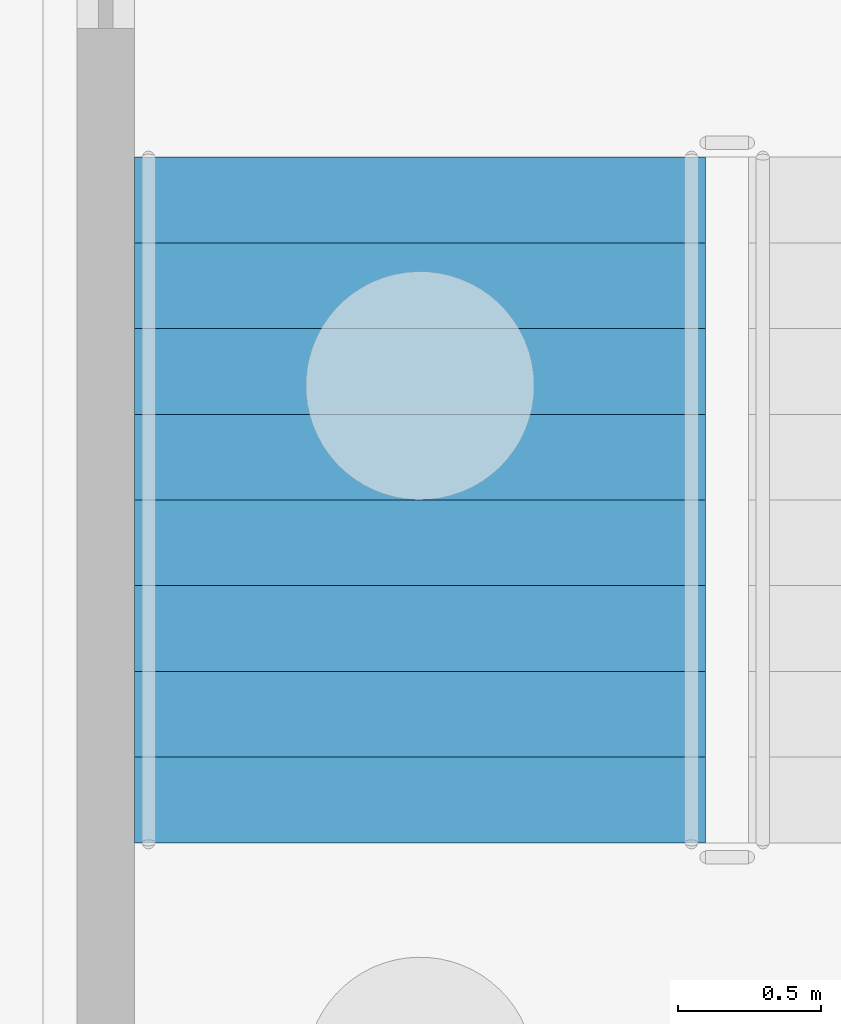
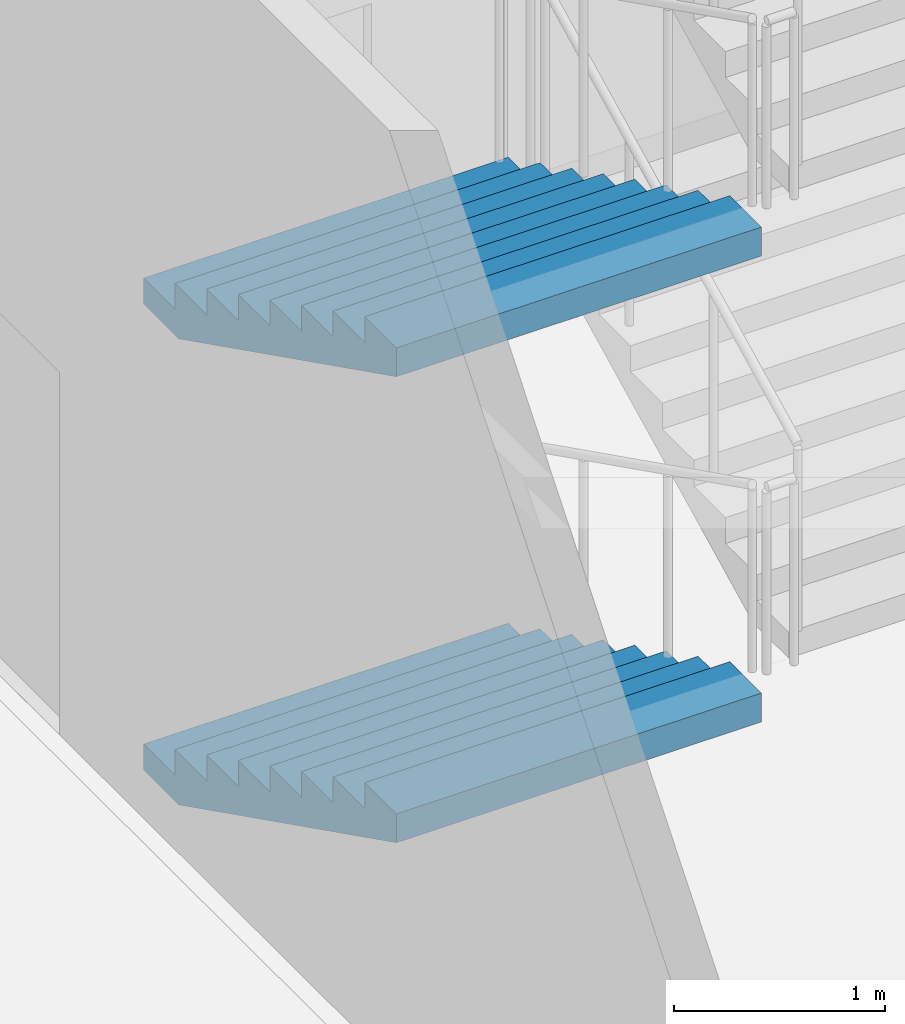
# One storey, part 90 of 129: 2 stair flights, 1 element without a shape of its own.
"""IFC4 building model written with IfcOpenShell, lengths in metres."""

import ifcopenshell
import ifcopenshell.guid

model = None  # the IFC model being written
_history = None  # IfcOwnerHistory: only IFC2X3 demands one
_inside = {}  # id of a spatial element -> (the spatial element, [elements in it])
_under = {}  # id of a project, library or spatial element -> (it, [spatial elements below it])
_declared = {}  # id of a project -> (the project, [libraries it declares])
_typed = {}  # id of a type object -> (the type object, [elements of that type])
_made_of = {}  # id of a material, layer set ... -> (it, [elements and type objects made of it])


def new_model(schema):
    """Start an empty IFC model of exactly this schema.

    Asked for "IFC4X3", IfcOpenShell would pick the latest addendum, in which some entities
    have other attributes; the version numbers below select the first issue.
    IFC2X3 requires an IfcOwnerHistory on every rooted entity: one is made here for all.
    """
    global model, _history
    if schema == "IFC4X3":
        model = ifcopenshell.file(schema_version=(4, 3, 0, 0))
    else:
        model = ifcopenshell.file(schema=schema)
    _inside.clear()
    _under.clear()
    _declared.clear()
    _typed.clear()
    _made_of.clear()
    _history = None
    if model.schema == "IFC2X3":
        org = make("IfcOrganization", Name="unknown")
        user = make(
            "IfcPersonAndOrganization",
            ThePerson=make("IfcPerson", FamilyName="unknown"),
            TheOrganization=org,
        )
        app = make(
            "IfcApplication",
            ApplicationDeveloper=org,
            Version="unknown",
            ApplicationFullName="unknown",
            ApplicationIdentifier="unknown",
        )
        _history = make(
            "IfcOwnerHistory",
            OwningUser=user,
            OwningApplication=app,
            ChangeAction="ADDED",
            CreationDate=0,
        )
    return model


def make(cls, **values):
    """One entity of the class cls with the attributes given. An attribute that is None is left unset."""
    return model.create_entity(
        cls, **{name: value for name, value in values.items() if value is not None}
    )


def rooted(cls, **values):
    """An entity with a GlobalId (a new one), such as an element, a storey or a relation."""
    return make(cls, GlobalId=ifcopenshell.guid.new(), OwnerHistory=_history, **values)


def si_unit(unit_type, name, prefix=None):
    """IfcSIUnit, for example si_unit("LENGTHUNIT", "METRE", prefix="MILLI")."""
    return make("IfcSIUnit", UnitType=unit_type, Prefix=prefix, Name=name)


def assignment(units):
    """IfcUnitAssignment: the units of a project."""
    return None if units is None else make("IfcUnitAssignment", Units=units)


def point(xyz):
    """IfcCartesianPoint."""
    return None if xyz is None else make("IfcCartesianPoint", Coordinates=xyz)


def direction(xyz):
    """IfcDirection."""
    return None if xyz is None else make("IfcDirection", DirectionRatios=xyz)


def frame(location, z_axis=None, x_axis=None):
    """IfcAxis2Placement3D, a coordinate frame: its origin and axes. An axis left out is left unset."""
    return make(
        "IfcAxis2Placement3D",
        Location=point(location),
        Axis=direction(z_axis),
        RefDirection=direction(x_axis),
    )


def origin():
    """The frame at (0, 0, 0) with its axes left unset."""
    return frame((0.0, 0.0, 0.0))


def place(relative_to, where):
    """IfcLocalPlacement: puts the frame where relative to a parent placement (None: the world)."""
    return make(
        "IfcLocalPlacement", PlacementRelTo=relative_to, RelativePlacement=where
    )


def context(
    kind, dimensions, precision=None, world=None, true_north=None, identifier=None
):
    """IfcGeometricRepresentationContext, for example the 3D "Model" context."""
    return make(
        "IfcGeometricRepresentationContext",
        ContextIdentifier=identifier,
        ContextType=kind,
        CoordinateSpaceDimension=dimensions,
        Precision=precision,
        WorldCoordinateSystem=world,
        TrueNorth=true_north,
    )


def subcontext(parent, identifier, kind, view, scale=None):
    """IfcGeometricRepresentationSubContext, for example "Body" below "Model"."""
    return make(
        "IfcGeometricRepresentationSubContext",
        ContextIdentifier=identifier,
        ContextType=kind,
        ParentContext=parent,
        TargetScale=scale,
        TargetView=view,
    )


def project(units=None, contexts=None):
    """IfcProject with its units and contexts."""
    return rooted(
        "IfcProject",
        Name="project",
        RepresentationContexts=contexts,
        UnitsInContext=assignment(units),
    )


def spatial(cls, under=None, at=None, **own):
    """A site, building, storey or space (cls), placed at a placement, below another one or the project."""
    s = rooted(cls, ObjectPlacement=at, **own)
    if under is not None:
        _under.setdefault(under.id(), (under, []))[1].append(s)
    return s


def faces_of(points, faces, orient=None, outer=None):
    """IfcFace entities. A face is a list of loops; a loop is a list of indices into points, from 0.

    orient and outer hold one flag for each loop. By default every Orientation is true, the
    first loop of a face is its IfcFaceOuterBound and the others are IfcFaceBound.
    """
    made = []
    for i, loops in enumerate(faces):
        bounds = []
        for j, loop in enumerate(loops):
            is_outer = j == 0 if outer is None else outer[i][j]
            bounds.append(
                make(
                    "IfcFaceOuterBound" if is_outer else "IfcFaceBound",
                    Bound=make("IfcPolyLoop", Polygon=[points[k] for k in loop]),
                    Orientation=True if orient is None else orient[i][j],
                )
            )
        made.append(make("IfcFace", Bounds=bounds))
    return made


def faceted_brep(points, faces, orient=None, outer=None, voids=None):
    """IfcFacetedBrep: a solid bounded by flat faces; with voids (closed shells), ...WithVoids."""
    shared = [point(p) for p in points]
    hull = make("IfcClosedShell", CfsFaces=faces_of(shared, faces, orient, outer))
    if voids is None:
        return make("IfcFacetedBrep", Outer=hull)
    return make(
        "IfcFacetedBrepWithVoids",
        Outer=hull,
        Voids=[
            make(cls, CfsFaces=faces_of(shared, fs, o, b)) for cls, fs, o, b in voids
        ],
    )


def shape(context_of_items, identifier, shape_type, items):
    """IfcShapeRepresentation: the items that make up one representation, for example the "Body"."""
    return make(
        "IfcShapeRepresentation",
        ContextOfItems=context_of_items,
        RepresentationIdentifier=identifier,
        RepresentationType=shape_type,
        Items=items,
    )


def material(Name=None, Category=None):
    """IfcMaterial."""
    return make("IfcMaterial", Name=Name, Category=Category)


def made_of(thing, what):
    """Note that an element or type object is made of a material, layer set ...; save() writes the relation."""
    if what is not None:
        _made_of.setdefault(what.id(), (what, []))[1].append(thing)
    return thing


def type_object(cls, material=None, **own):
    """A type object (cls), such as IfcWallType, which elements share."""
    return made_of(rooted(cls, **own), material)


def element(
    cls,
    number,
    at=None,
    inside=None,
    cuts=None,
    type_object=None,
    material=None,
    context=None,
    identifier="Body",
    shape_type=None,
    held_by="IfcProductDefinitionShape",
    body=None,
    shapes=None,
    **own,
):
    """One element of the class cls, such as IfcWall. Its Tag is "e" and its number.

    at: its placement. inside: the storey or other place that contains it. cuts: it is an
    opening in that element (IfcRelVoidsElement). A single representation is given by context,
    identifier, shape_type and body (its items); several are given by shapes. held_by: the class
    of the entity that holds the representations. save() writes the other relations.
    """
    e = rooted(cls, Tag="e%d" % number, ObjectPlacement=at, **own)
    if body is not None:
        shapes = [shape(context, identifier, shape_type, body)]
    if shapes is not None:
        e.Representation = make(held_by, Representations=shapes)
    if inside is not None:
        _inside.setdefault(inside.id(), (inside, []))[1].append(e)
    if cuts is not None:
        rooted(
            "IfcRelVoidsElement", RelatingBuildingElement=cuts, RelatedOpeningElement=e
        )
    if type_object is not None:
        _typed.setdefault(type_object.id(), (type_object, []))[1].append(e)
    return made_of(e, material)


def aggregate(whole, parts):
    """IfcRelAggregates: a whole, such as a stair, and the parts it consists of."""
    return rooted("IfcRelAggregates", RelatingObject=whole, RelatedObjects=parts)


def save(model, path):
    """Write the relations noted so far, then the file.

    IfcRelAggregates (storeys below a building ...), IfcRelContainedInSpatialStructure (elements
    in a storey), IfcRelDefinesByType, IfcRelAssociatesMaterial and IfcRelDeclares: one each for
    every whole, place, type object, material and project.
    """
    for whole, parts in _under.values():
        aggregate(whole, parts)
    for where, things in _inside.values():
        rooted(
            "IfcRelContainedInSpatialStructure",
            RelatedElements=things,
            RelatingStructure=where,
        )
    for kind, things in _typed.values():
        rooted("IfcRelDefinesByType", RelatedObjects=things, RelatingType=kind)
    for what, things in _made_of.values():
        rooted("IfcRelAssociatesMaterial", RelatedObjects=things, RelatingMaterial=what)
    for by, libraries in _declared.values():
        rooted("IfcRelDeclares", RelatingContext=by, RelatedDefinitions=libraries)
    model.write(path)


model = new_model("IFC4")

# Units and contexts
model_context = context("Model", 3, precision=1e-05, world=origin(), true_north=direction((0.0, 1.0)))
body_context = subcontext(model_context, "Body", "Model", "MODEL_VIEW")
ifc_project = project(units=[si_unit("LENGTHUNIT", "METRE"), si_unit("AREAUNIT", "SQUARE_METRE"), si_unit("VOLUMEUNIT", "CUBIC_METRE"), si_unit("PLANEANGLEUNIT", "RADIAN"), si_unit("MASSUNIT", "GRAM", prefix="KILO")], contexts=[model_context])

# Site, building, storey
site_placement = place(None, origin())
site = spatial("IfcSite", under=ifc_project, at=site_placement, CompositionType="ELEMENT")
building_placement = place(site_placement, origin())
building = spatial("IfcBuilding", under=site, at=building_placement, Name="Kiln Court Media Centre", CompositionType="ELEMENT")
storey_placement = place(building_placement, origin())
storey = spatial("IfcBuildingStorey", under=building, at=storey_placement, Name="L00", CompositionType="ELEMENT", Elevation=0.0)

# Stair, stair flights
ifc_material_1 = material(Name="Concrete C40/50", Category="concrete")
stair_type = type_object("IfcStairType", Name="Concrete C40/50 dog-leg stair 2000 wide, 150 riser", PredefinedType="HALF_TURN_STAIR", material=ifc_material_1)
stair_placement = place(storey_placement, origin())
stair = element("IfcStair", 1, at=stair_placement, inside=storey, type_object=stair_type, Name="ST-11 L00", PredefinedType="HALF_TURN_STAIR")
ifc_material_2 = material(Name="Concrete C40/50", Category="concrete")
stair_flight_type = type_object("IfcStairFlightType", Name="Concrete C40/50 stair flight 2000 wide, 150 riser, 300 going", PredefinedType="STRAIGHT", material=ifc_material_2)
stair_flight_1_placement = place(storey_placement, frame((60.0, 64.39990234375, 0.0), z_axis=(0.0, 0.0, 1.0), x_axis=(0.0, -1.0, 0.0)))
stair_flight_1 = element("IfcStairFlight", 2, at=stair_flight_1_placement, type_object=stair_flight_type, Name="L00-ST-5010 flight 5040", NumberOfRisers=9, NumberOfTreads=8, PredefinedType="STRAIGHT", RiserHeight=0.15, TreadLength=0.3, context=body_context, shape_type="Brep", body=[
    faceted_brep([(0.335205078125, -1.0, 0.0), (2.39990234375, -1.0, 1.032470703125), (2.39990234375, -1.0, 1.199951171875), (2.10009765625, -1.0, 1.199951171875), (2.10009765625, -1.0, 1.050048828125), (1.800048828125, -1.0, 1.050048828125), (1.800048828125, -1.0, 0.89990234375), (1.5, -1.0, 0.89990234375), (1.5, -1.0, 0.75), (1.199951171875, -1.0, 0.75), (1.199951171875, -1.0, 0.60009765625), (0.89990234375, -1.0, 0.60009765625), (0.89990234375, -1.0, 0.449951171875), (0.60009765625, -1.0, 0.449951171875), (0.60009765625, -1.0, 0.300048828125), (0.300048828125, -1.0, 0.300048828125), (0.300048828125, -1.0, 0.14990234375), (0.0, -1.0, 0.14990234375), (0.0, -1.0, 0.0), (0.0, 1.0, 0.0), (0.0, 1.0, 0.14990234375), (0.300048828125, 1.0, 0.14990234375), (0.300048828125, 1.0, 0.300048828125), (0.60009765625, 1.0, 0.300048828125), (0.60009765625, 1.0, 0.449951171875), (0.89990234375, 1.0, 0.449951171875), (0.89990234375, 1.0, 0.60009765625), (1.199951171875, 1.0, 0.60009765625), (1.199951171875, 1.0, 0.75), (1.5, 1.0, 0.75), (1.5, 1.0, 0.89990234375), (1.800048828125, 1.0, 0.89990234375), (1.800048828125, 1.0, 1.050048828125), (2.10009765625, 1.0, 1.050048828125), (2.10009765625, 1.0, 1.199951171875), (2.39990234375, 1.0, 1.199951171875), (2.39990234375, 1.0, 1.032470703125), (0.335205078125, 1.0, 0.0), (2.39990234375, 0.10009765625, 1.032470703125), (0.335205078125, 0.10009765625, 0.0), (2.39990234375, 0.080078125, 1.032470703125), (0.335205078125, 0.080078125, 0.0), (2.39990234375, 0.06005859375, 1.032470703125), (0.335205078125, 0.06005859375, 0.0), (2.39990234375, 0.0400390625, 1.032470703125), (0.335205078125, 0.0400390625, 0.0), (2.39990234375, 0.02001953125, 1.032470703125), (0.335205078125, 0.02001953125, 0.0), (2.39990234375, 0.0, 1.032470703125), (0.335205078125, 0.0, 0.0), (2.39990234375, -0.02001953125, 1.032470703125), (0.335205078125, -0.02001953125, 0.0), (2.39990234375, -0.0400390625, 1.032470703125), (0.335205078125, -0.0400390625, 0.0), (2.39990234375, -0.06005859375, 1.032470703125), (0.335205078125, -0.06005859375, 0.0), (2.39990234375, -0.080078125, 1.032470703125), (0.335205078125, -0.080078125, 0.0), (2.39990234375, -0.10009765625, 1.032470703125), (0.335205078125, -0.10009765625, 0.0), (2.39990234375, 0.10009765625, 1.199951171875), (2.39990234375, 0.080078125, 1.199951171875), (2.39990234375, 0.06005859375, 1.199951171875), (2.39990234375, 0.0400390625, 1.199951171875), (2.39990234375, 0.02001953125, 1.199951171875), (2.39990234375, 0.0, 1.199951171875), (2.39990234375, -0.02001953125, 1.199951171875), (2.39990234375, -0.0400390625, 1.199951171875), (2.39990234375, -0.06005859375, 1.199951171875), (2.39990234375, -0.080078125, 1.199951171875), (2.39990234375, -0.10009765625, 1.199951171875), (2.10009765625, 0.10009765625, 1.199951171875), (2.10009765625, 0.080078125, 1.199951171875), (2.10009765625, 0.06005859375, 1.199951171875), (2.10009765625, 0.0400390625, 1.199951171875), (2.10009765625, 0.02001953125, 1.199951171875), (2.10009765625, 0.0, 1.199951171875), (2.10009765625, -0.02001953125, 1.199951171875), (2.10009765625, -0.0400390625, 1.199951171875), (2.10009765625, -0.06005859375, 1.199951171875), (2.10009765625, -0.080078125, 1.199951171875), (2.10009765625, -0.10009765625, 1.199951171875), (2.10009765625, 0.10009765625, 1.050048828125), (2.10009765625, 0.080078125, 1.050048828125), (2.10009765625, 0.06005859375, 1.050048828125), (2.10009765625, 0.0400390625, 1.050048828125), (2.10009765625, 0.02001953125, 1.050048828125), (2.10009765625, 0.0, 1.050048828125), (2.10009765625, -0.02001953125, 1.050048828125), (2.10009765625, -0.0400390625, 1.050048828125), (2.10009765625, -0.06005859375, 1.050048828125), (2.10009765625, -0.080078125, 1.050048828125), (2.10009765625, -0.10009765625, 1.050048828125), (1.800048828125, 0.10009765625, 1.050048828125), (1.800048828125, 0.080078125, 1.050048828125), (1.800048828125, 0.06005859375, 1.050048828125), (1.800048828125, 0.0400390625, 1.050048828125), (1.800048828125, 0.02001953125, 1.050048828125), (1.800048828125, 0.0, 1.050048828125), (1.800048828125, -0.02001953125, 1.050048828125), (1.800048828125, -0.0400390625, 1.050048828125), (1.800048828125, -0.06005859375, 1.050048828125), (1.800048828125, -0.080078125, 1.050048828125), (1.800048828125, -0.10009765625, 1.050048828125), (1.800048828125, 0.10009765625, 0.89990234375), (1.800048828125, 0.080078125, 0.89990234375), (1.800048828125, 0.06005859375, 0.89990234375), (1.800048828125, 0.0400390625, 0.89990234375), (1.800048828125, 0.02001953125, 0.89990234375), (1.800048828125, 0.0, 0.89990234375), (1.800048828125, -0.02001953125, 0.89990234375), (1.800048828125, -0.0400390625, 0.89990234375), (1.800048828125, -0.06005859375, 0.89990234375), (1.800048828125, -0.080078125, 0.89990234375), (1.800048828125, -0.10009765625, 0.89990234375), (1.5, 0.10009765625, 0.89990234375), (1.5, 0.080078125, 0.89990234375), (1.5, 0.06005859375, 0.89990234375), (1.5, 0.0400390625, 0.89990234375), (1.5, 0.02001953125, 0.89990234375), (1.5, 0.0, 0.89990234375), (1.5, -0.02001953125, 0.89990234375), (1.5, -0.0400390625, 0.89990234375), (1.5, -0.06005859375, 0.89990234375), (1.5, -0.080078125, 0.89990234375), (1.5, -0.10009765625, 0.89990234375), (1.5, 0.10009765625, 0.75), (1.5, 0.080078125, 0.75), (1.5, 0.06005859375, 0.75), (1.5, 0.0400390625, 0.75), (1.5, 0.02001953125, 0.75), (1.5, 0.0, 0.75), (1.5, -0.02001953125, 0.75), (1.5, -0.0400390625, 0.75), (1.5, -0.06005859375, 0.75), (1.5, -0.080078125, 0.75), (1.5, -0.10009765625, 0.75), (1.199951171875, 0.10009765625, 0.75), (1.199951171875, 0.080078125, 0.75), (1.199951171875, 0.06005859375, 0.75), (1.199951171875, 0.0400390625, 0.75), (1.199951171875, 0.02001953125, 0.75), (1.199951171875, 0.0, 0.75), (1.199951171875, -0.02001953125, 0.75), (1.199951171875, -0.0400390625, 0.75), (1.199951171875, -0.06005859375, 0.75), (1.199951171875, -0.080078125, 0.75), (1.199951171875, -0.10009765625, 0.75), (1.199951171875, 0.10009765625, 0.60009765625), (1.199951171875, 0.080078125, 0.60009765625), (1.199951171875, 0.06005859375, 0.60009765625), (1.199951171875, 0.0400390625, 0.60009765625), (1.199951171875, 0.02001953125, 0.60009765625), (1.199951171875, 0.0, 0.60009765625), (1.199951171875, -0.02001953125, 0.60009765625), (1.199951171875, -0.0400390625, 0.60009765625), (1.199951171875, -0.06005859375, 0.60009765625), (1.199951171875, -0.080078125, 0.60009765625), (1.199951171875, -0.10009765625, 0.60009765625), (0.89990234375, 0.10009765625, 0.60009765625), (0.89990234375, 0.080078125, 0.60009765625), (0.89990234375, 0.06005859375, 0.60009765625), (0.89990234375, 0.0400390625, 0.60009765625), (0.89990234375, 0.02001953125, 0.60009765625), (0.89990234375, 0.0, 0.60009765625), (0.89990234375, -0.02001953125, 0.60009765625), (0.89990234375, -0.0400390625, 0.60009765625), (0.89990234375, -0.06005859375, 0.60009765625), (0.89990234375, -0.080078125, 0.60009765625), (0.89990234375, -0.10009765625, 0.60009765625), (0.89990234375, 0.10009765625, 0.449951171875), (0.89990234375, 0.080078125, 0.449951171875), (0.89990234375, 0.06005859375, 0.449951171875), (0.89990234375, 0.0400390625, 0.449951171875), (0.89990234375, 0.02001953125, 0.449951171875), (0.89990234375, 0.0, 0.449951171875), (0.89990234375, -0.02001953125, 0.449951171875), (0.89990234375, -0.0400390625, 0.449951171875), (0.89990234375, -0.06005859375, 0.449951171875), (0.89990234375, -0.080078125, 0.449951171875), (0.89990234375, -0.10009765625, 0.449951171875), (0.60009765625, 0.10009765625, 0.449951171875), (0.60009765625, 0.080078125, 0.449951171875), (0.60009765625, 0.06005859375, 0.449951171875), (0.60009765625, 0.0400390625, 0.449951171875), (0.60009765625, 0.02001953125, 0.449951171875), (0.60009765625, 0.0, 0.449951171875), (0.60009765625, -0.02001953125, 0.449951171875), (0.60009765625, -0.0400390625, 0.449951171875), (0.60009765625, -0.06005859375, 0.449951171875), (0.60009765625, -0.080078125, 0.449951171875), (0.60009765625, -0.10009765625, 0.449951171875), (0.60009765625, 0.10009765625, 0.300048828125), (0.60009765625, 0.080078125, 0.300048828125), (0.60009765625, 0.06005859375, 0.300048828125), (0.60009765625, 0.0400390625, 0.300048828125), (0.60009765625, 0.02001953125, 0.300048828125), (0.60009765625, 0.0, 0.300048828125), (0.60009765625, -0.02001953125, 0.300048828125), (0.60009765625, -0.0400390625, 0.300048828125), (0.60009765625, -0.06005859375, 0.300048828125), (0.60009765625, -0.080078125, 0.300048828125), (0.60009765625, -0.10009765625, 0.300048828125), (0.300048828125, 0.10009765625, 0.300048828125), (0.300048828125, 0.080078125, 0.300048828125), (0.300048828125, 0.06005859375, 0.300048828125), (0.300048828125, 0.0400390625, 0.300048828125), (0.300048828125, 0.02001953125, 0.300048828125), (0.300048828125, 0.0, 0.300048828125), (0.300048828125, -0.02001953125, 0.300048828125), (0.300048828125, -0.0400390625, 0.300048828125), (0.300048828125, -0.06005859375, 0.300048828125), (0.300048828125, -0.080078125, 0.300048828125), (0.300048828125, -0.10009765625, 0.300048828125), (0.300048828125, 0.10009765625, 0.14990234375), (0.300048828125, 0.080078125, 0.14990234375), (0.300048828125, 0.06005859375, 0.14990234375), (0.300048828125, 0.0400390625, 0.14990234375), (0.300048828125, 0.02001953125, 0.14990234375), (0.300048828125, 0.0, 0.14990234375), (0.300048828125, -0.02001953125, 0.14990234375), (0.300048828125, -0.0400390625, 0.14990234375), (0.300048828125, -0.06005859375, 0.14990234375), (0.300048828125, -0.080078125, 0.14990234375), (0.300048828125, -0.10009765625, 0.14990234375), (0.0, 0.10009765625, 0.14990234375), (0.0, 0.080078125, 0.14990234375), (0.0, 0.06005859375, 0.14990234375), (0.0, 0.0400390625, 0.14990234375), (0.0, 0.02001953125, 0.14990234375), (0.0, 0.0, 0.14990234375), (0.0, -0.02001953125, 0.14990234375), (0.0, -0.0400390625, 0.14990234375), (0.0, -0.06005859375, 0.14990234375), (0.0, -0.080078125, 0.14990234375), (0.0, -0.10009765625, 0.14990234375), (0.0, 0.10009765625, 0.0), (0.0, 0.080078125, 0.0), (0.0, 0.06005859375, 0.0), (0.0, 0.0400390625, 0.0), (0.0, 0.02001953125, 0.0), (0.0, 0.0, 0.0), (0.0, -0.02001953125, 0.0), (0.0, -0.0400390625, 0.0), (0.0, -0.06005859375, 0.0), (0.0, -0.080078125, 0.0), (0.0, -0.10009765625, 0.0)], [[[0, 1, 2, 3, 4, 5, 6, 7, 8, 9, 10, 11, 12, 13, 14, 15, 16, 17, 18]], [[19, 20, 21, 22, 23, 24, 25, 26, 27, 28, 29, 30, 31, 32, 33, 34, 35, 36, 37]], [[37, 36, 38, 39]], [[39, 38, 40, 41]], [[41, 40, 42, 43]], [[43, 42, 44, 45]], [[45, 44, 46, 47]], [[47, 46, 48, 49]], [[49, 48, 50, 51]], [[51, 50, 52, 53]], [[53, 52, 54, 55]], [[55, 54, 56, 57]], [[57, 56, 58, 59]], [[59, 58, 1, 0]], [[36, 35, 60, 38]], [[38, 60, 61, 40]], [[40, 61, 62, 42]], [[42, 62, 63, 44]], [[44, 63, 64, 46]], [[46, 64, 65, 48]], [[48, 65, 66, 50]], [[50, 66, 67, 52]], [[52, 67, 68, 54]], [[54, 68, 69, 56]], [[56, 69, 70, 58]], [[58, 70, 2, 1]], [[35, 34, 71, 60]], [[60, 71, 72, 61]], [[61, 72, 73, 62]], [[62, 73, 74, 63]], [[63, 74, 75, 64]], [[64, 75, 76, 65]], [[65, 76, 77, 66]], [[66, 77, 78, 67]], [[67, 78, 79, 68]], [[68, 79, 80, 69]], [[69, 80, 81, 70]], [[70, 81, 3, 2]], [[34, 33, 82, 71]], [[71, 82, 83, 72]], [[72, 83, 84, 73]], [[73, 84, 85, 74]], [[74, 85, 86, 75]], [[75, 86, 87, 76]], [[76, 87, 88, 77]], [[77, 88, 89, 78]], [[78, 89, 90, 79]], [[79, 90, 91, 80]], [[80, 91, 92, 81]], [[81, 92, 4, 3]], [[33, 32, 93, 82]], [[82, 93, 94, 83]], [[83, 94, 95, 84]], [[84, 95, 96, 85]], [[85, 96, 97, 86]], [[86, 97, 98, 87]], [[87, 98, 99, 88]], [[88, 99, 100, 89]], [[89, 100, 101, 90]], [[90, 101, 102, 91]], [[91, 102, 103, 92]], [[92, 103, 5, 4]], [[32, 31, 104, 93]], [[93, 104, 105, 94]], [[94, 105, 106, 95]], [[95, 106, 107, 96]], [[96, 107, 108, 97]], [[97, 108, 109, 98]], [[98, 109, 110, 99]], [[99, 110, 111, 100]], [[100, 111, 112, 101]], [[101, 112, 113, 102]], [[102, 113, 114, 103]], [[103, 114, 6, 5]], [[31, 30, 115, 104]], [[104, 115, 116, 105]], [[105, 116, 117, 106]], [[106, 117, 118, 107]], [[107, 118, 119, 108]], [[108, 119, 120, 109]], [[109, 120, 121, 110]], [[110, 121, 122, 111]], [[111, 122, 123, 112]], [[112, 123, 124, 113]], [[113, 124, 125, 114]], [[114, 125, 7, 6]], [[30, 29, 126, 115]], [[115, 126, 127, 116]], [[116, 127, 128, 117]], [[117, 128, 129, 118]], [[118, 129, 130, 119]], [[119, 130, 131, 120]], [[120, 131, 132, 121]], [[121, 132, 133, 122]], [[122, 133, 134, 123]], [[123, 134, 135, 124]], [[124, 135, 136, 125]], [[125, 136, 8, 7]], [[29, 28, 137, 126]], [[126, 137, 138, 127]], [[127, 138, 139, 128]], [[128, 139, 140, 129]], [[129, 140, 141, 130]], [[130, 141, 142, 131]], [[131, 142, 143, 132]], [[132, 143, 144, 133]], [[133, 144, 145, 134]], [[134, 145, 146, 135]], [[135, 146, 147, 136]], [[136, 147, 9, 8]], [[28, 27, 148, 137]], [[137, 148, 149, 138]], [[138, 149, 150, 139]], [[139, 150, 151, 140]], [[140, 151, 152, 141]], [[141, 152, 153, 142]], [[142, 153, 154, 143]], [[143, 154, 155, 144]], [[144, 155, 156, 145]], [[145, 156, 157, 146]], [[146, 157, 158, 147]], [[147, 158, 10, 9]], [[27, 26, 159, 148]], [[148, 159, 160, 149]], [[149, 160, 161, 150]], [[150, 161, 162, 151]], [[151, 162, 163, 152]], [[152, 163, 164, 153]], [[153, 164, 165, 154]], [[154, 165, 166, 155]], [[155, 166, 167, 156]], [[156, 167, 168, 157]], [[157, 168, 169, 158]], [[158, 169, 11, 10]], [[26, 25, 170, 159]], [[159, 170, 171, 160]], [[160, 171, 172, 161]], [[161, 172, 173, 162]], [[162, 173, 174, 163]], [[163, 174, 175, 164]], [[164, 175, 176, 165]], [[165, 176, 177, 166]], [[166, 177, 178, 167]], [[167, 178, 179, 168]], [[168, 179, 180, 169]], [[169, 180, 12, 11]], [[25, 24, 181, 170]], [[170, 181, 182, 171]], [[171, 182, 183, 172]], [[172, 183, 184, 173]], [[173, 184, 185, 174]], [[174, 185, 186, 175]], [[175, 186, 187, 176]], [[176, 187, 188, 177]], [[177, 188, 189, 178]], [[178, 189, 190, 179]], [[179, 190, 191, 180]], [[180, 191, 13, 12]], [[24, 23, 192, 181]], [[181, 192, 193, 182]], [[182, 193, 194, 183]], [[183, 194, 195, 184]], [[184, 195, 196, 185]], [[185, 196, 197, 186]], [[186, 197, 198, 187]], [[187, 198, 199, 188]], [[188, 199, 200, 189]], [[189, 200, 201, 190]], [[190, 201, 202, 191]], [[191, 202, 14, 13]], [[23, 22, 203, 192]], [[192, 203, 204, 193]], [[193, 204, 205, 194]], [[194, 205, 206, 195]], [[195, 206, 207, 196]], [[196, 207, 208, 197]], [[197, 208, 209, 198]], [[198, 209, 210, 199]], [[199, 210, 211, 200]], [[200, 211, 212, 201]], [[201, 212, 213, 202]], [[202, 213, 15, 14]], [[22, 21, 214, 203]], [[203, 214, 215, 204]], [[204, 215, 216, 205]], [[205, 216, 217, 206]], [[206, 217, 218, 207]], [[207, 218, 219, 208]], [[208, 219, 220, 209]], [[209, 220, 221, 210]], [[210, 221, 222, 211]], [[211, 222, 223, 212]], [[212, 223, 224, 213]], [[213, 224, 16, 15]], [[21, 20, 225, 214]], [[214, 225, 226, 215]], [[215, 226, 227, 216]], [[216, 227, 228, 217]], [[217, 228, 229, 218]], [[218, 229, 230, 219]], [[219, 230, 231, 220]], [[220, 231, 232, 221]], [[221, 232, 233, 222]], [[222, 233, 234, 223]], [[223, 234, 235, 224]], [[224, 235, 17, 16]], [[20, 19, 236, 225]], [[225, 236, 237, 226]], [[226, 237, 238, 227]], [[227, 238, 239, 228]], [[228, 239, 240, 229]], [[229, 240, 241, 230]], [[230, 241, 242, 231]], [[231, 242, 243, 232]], [[232, 243, 244, 233]], [[233, 244, 245, 234]], [[234, 245, 246, 235]], [[235, 246, 18, 17]], [[19, 37, 39, 236]], [[236, 39, 41, 237]], [[237, 41, 43, 238]], [[238, 43, 45, 239]], [[239, 45, 47, 240]], [[240, 47, 49, 241]], [[241, 49, 51, 242]], [[242, 51, 53, 243]], [[243, 53, 55, 244]], [[244, 55, 57, 245]], [[245, 57, 59, 246]], [[246, 59, 0, 18]]]),
])
stair_flight_2_placement = place(storey_placement, frame((60.0, 64.39990234375, 2.699951171875), z_axis=(0.0, 0.0, 1.0), x_axis=(0.0, -1.0, 0.0)))
stair_flight_2 = element("IfcStairFlight", 3, at=stair_flight_2_placement, type_object=stair_flight_type, Name="L00-ST-5010 flight 5042", NumberOfRisers=9, NumberOfTreads=8, PredefinedType="STRAIGHT", RiserHeight=0.15, TreadLength=0.3, context=body_context, shape_type="Brep", body=[
    faceted_brep([(0.335205078125, -1.0, 0.0), (2.39990234375, -1.0, 1.032470703125), (2.39990234375, -1.0, 1.199951171875), (2.10009765625, -1.0, 1.199951171875), (2.10009765625, -1.0, 1.050048828125), (1.800048828125, -1.0, 1.050048828125), (1.800048828125, -1.0, 0.89990234375), (1.5, -1.0, 0.89990234375), (1.5, -1.0, 0.75), (1.199951171875, -1.0, 0.75), (1.199951171875, -1.0, 0.60009765625), (0.89990234375, -1.0, 0.60009765625), (0.89990234375, -1.0, 0.449951171875), (0.60009765625, -1.0, 0.449951171875), (0.60009765625, -1.0, 0.300048828125), (0.300048828125, -1.0, 0.300048828125), (0.300048828125, -1.0, 0.14990234375), (0.0, -1.0, 0.14990234375), (0.0, -1.0, 0.0), (0.0, 1.0, 0.0), (0.0, 1.0, 0.14990234375), (0.300048828125, 1.0, 0.14990234375), (0.300048828125, 1.0, 0.300048828125), (0.60009765625, 1.0, 0.300048828125), (0.60009765625, 1.0, 0.449951171875), (0.89990234375, 1.0, 0.449951171875), (0.89990234375, 1.0, 0.60009765625), (1.199951171875, 1.0, 0.60009765625), (1.199951171875, 1.0, 0.75), (1.5, 1.0, 0.75), (1.5, 1.0, 0.89990234375), (1.800048828125, 1.0, 0.89990234375), (1.800048828125, 1.0, 1.050048828125), (2.10009765625, 1.0, 1.050048828125), (2.10009765625, 1.0, 1.199951171875), (2.39990234375, 1.0, 1.199951171875), (2.39990234375, 1.0, 1.032470703125), (0.335205078125, 1.0, 0.0), (2.39990234375, 0.10009765625, 1.032470703125), (0.335205078125, 0.10009765625, 0.0), (2.39990234375, 0.080078125, 1.032470703125), (0.335205078125, 0.080078125, 0.0), (2.39990234375, 0.06005859375, 1.032470703125), (0.335205078125, 0.06005859375, 0.0), (2.39990234375, 0.0400390625, 1.032470703125), (0.335205078125, 0.0400390625, 0.0), (2.39990234375, 0.02001953125, 1.032470703125), (0.335205078125, 0.02001953125, 0.0), (2.39990234375, 0.0, 1.032470703125), (0.335205078125, 0.0, 0.0), (2.39990234375, -0.02001953125, 1.032470703125), (0.335205078125, -0.02001953125, 0.0), (2.39990234375, -0.0400390625, 1.032470703125), (0.335205078125, -0.0400390625, 0.0), (2.39990234375, -0.06005859375, 1.032470703125), (0.335205078125, -0.06005859375, 0.0), (2.39990234375, -0.080078125, 1.032470703125), (0.335205078125, -0.080078125, 0.0), (2.39990234375, -0.10009765625, 1.032470703125), (0.335205078125, -0.10009765625, 0.0), (2.39990234375, 0.10009765625, 1.199951171875), (2.39990234375, 0.080078125, 1.199951171875), (2.39990234375, 0.06005859375, 1.199951171875), (2.39990234375, 0.0400390625, 1.199951171875), (2.39990234375, 0.02001953125, 1.199951171875), (2.39990234375, 0.0, 1.199951171875), (2.39990234375, -0.02001953125, 1.199951171875), (2.39990234375, -0.0400390625, 1.199951171875), (2.39990234375, -0.06005859375, 1.199951171875), (2.39990234375, -0.080078125, 1.199951171875), (2.39990234375, -0.10009765625, 1.199951171875), (2.10009765625, 0.10009765625, 1.199951171875), (2.10009765625, 0.080078125, 1.199951171875), (2.10009765625, 0.06005859375, 1.199951171875), (2.10009765625, 0.0400390625, 1.199951171875), (2.10009765625, 0.02001953125, 1.199951171875), (2.10009765625, 0.0, 1.199951171875), (2.10009765625, -0.02001953125, 1.199951171875), (2.10009765625, -0.0400390625, 1.199951171875), (2.10009765625, -0.06005859375, 1.199951171875), (2.10009765625, -0.080078125, 1.199951171875), (2.10009765625, -0.10009765625, 1.199951171875), (2.10009765625, 0.10009765625, 1.050048828125), (2.10009765625, 0.080078125, 1.050048828125), (2.10009765625, 0.06005859375, 1.050048828125), (2.10009765625, 0.0400390625, 1.050048828125), (2.10009765625, 0.02001953125, 1.050048828125), (2.10009765625, 0.0, 1.050048828125), (2.10009765625, -0.02001953125, 1.050048828125), (2.10009765625, -0.0400390625, 1.050048828125), (2.10009765625, -0.06005859375, 1.050048828125), (2.10009765625, -0.080078125, 1.050048828125), (2.10009765625, -0.10009765625, 1.050048828125), (1.800048828125, 0.10009765625, 1.050048828125), (1.800048828125, 0.080078125, 1.050048828125), (1.800048828125, 0.06005859375, 1.050048828125), (1.800048828125, 0.0400390625, 1.050048828125), (1.800048828125, 0.02001953125, 1.050048828125), (1.800048828125, 0.0, 1.050048828125), (1.800048828125, -0.02001953125, 1.050048828125), (1.800048828125, -0.0400390625, 1.050048828125), (1.800048828125, -0.06005859375, 1.050048828125), (1.800048828125, -0.080078125, 1.050048828125), (1.800048828125, -0.10009765625, 1.050048828125), (1.800048828125, 0.10009765625, 0.89990234375), (1.800048828125, 0.080078125, 0.89990234375), (1.800048828125, 0.06005859375, 0.89990234375), (1.800048828125, 0.0400390625, 0.89990234375), (1.800048828125, 0.02001953125, 0.89990234375), (1.800048828125, 0.0, 0.89990234375), (1.800048828125, -0.02001953125, 0.89990234375), (1.800048828125, -0.0400390625, 0.89990234375), (1.800048828125, -0.06005859375, 0.89990234375), (1.800048828125, -0.080078125, 0.89990234375), (1.800048828125, -0.10009765625, 0.89990234375), (1.5, 0.10009765625, 0.89990234375), (1.5, 0.080078125, 0.89990234375), (1.5, 0.06005859375, 0.89990234375), (1.5, 0.0400390625, 0.89990234375), (1.5, 0.02001953125, 0.89990234375), (1.5, 0.0, 0.89990234375), (1.5, -0.02001953125, 0.89990234375), (1.5, -0.0400390625, 0.89990234375), (1.5, -0.06005859375, 0.89990234375), (1.5, -0.080078125, 0.89990234375), (1.5, -0.10009765625, 0.89990234375), (1.5, 0.10009765625, 0.75), (1.5, 0.080078125, 0.75), (1.5, 0.06005859375, 0.75), (1.5, 0.0400390625, 0.75), (1.5, 0.02001953125, 0.75), (1.5, 0.0, 0.75), (1.5, -0.02001953125, 0.75), (1.5, -0.0400390625, 0.75), (1.5, -0.06005859375, 0.75), (1.5, -0.080078125, 0.75), (1.5, -0.10009765625, 0.75), (1.199951171875, 0.10009765625, 0.75), (1.199951171875, 0.080078125, 0.75), (1.199951171875, 0.06005859375, 0.75), (1.199951171875, 0.0400390625, 0.75), (1.199951171875, 0.02001953125, 0.75), (1.199951171875, 0.0, 0.75), (1.199951171875, -0.02001953125, 0.75), (1.199951171875, -0.0400390625, 0.75), (1.199951171875, -0.06005859375, 0.75), (1.199951171875, -0.080078125, 0.75), (1.199951171875, -0.10009765625, 0.75), (1.199951171875, 0.10009765625, 0.60009765625), (1.199951171875, 0.080078125, 0.60009765625), (1.199951171875, 0.06005859375, 0.60009765625), (1.199951171875, 0.0400390625, 0.60009765625), (1.199951171875, 0.02001953125, 0.60009765625), (1.199951171875, 0.0, 0.60009765625), (1.199951171875, -0.02001953125, 0.60009765625), (1.199951171875, -0.0400390625, 0.60009765625), (1.199951171875, -0.06005859375, 0.60009765625), (1.199951171875, -0.080078125, 0.60009765625), (1.199951171875, -0.10009765625, 0.60009765625), (0.89990234375, 0.10009765625, 0.60009765625), (0.89990234375, 0.080078125, 0.60009765625), (0.89990234375, 0.06005859375, 0.60009765625), (0.89990234375, 0.0400390625, 0.60009765625), (0.89990234375, 0.02001953125, 0.60009765625), (0.89990234375, 0.0, 0.60009765625), (0.89990234375, -0.02001953125, 0.60009765625), (0.89990234375, -0.0400390625, 0.60009765625), (0.89990234375, -0.06005859375, 0.60009765625), (0.89990234375, -0.080078125, 0.60009765625), (0.89990234375, -0.10009765625, 0.60009765625), (0.89990234375, 0.10009765625, 0.449951171875), (0.89990234375, 0.080078125, 0.449951171875), (0.89990234375, 0.06005859375, 0.449951171875), (0.89990234375, 0.0400390625, 0.449951171875), (0.89990234375, 0.02001953125, 0.449951171875), (0.89990234375, 0.0, 0.449951171875), (0.89990234375, -0.02001953125, 0.449951171875), (0.89990234375, -0.0400390625, 0.449951171875), (0.89990234375, -0.06005859375, 0.449951171875), (0.89990234375, -0.080078125, 0.449951171875), (0.89990234375, -0.10009765625, 0.449951171875), (0.60009765625, 0.10009765625, 0.449951171875), (0.60009765625, 0.080078125, 0.449951171875), (0.60009765625, 0.06005859375, 0.449951171875), (0.60009765625, 0.0400390625, 0.449951171875), (0.60009765625, 0.02001953125, 0.449951171875), (0.60009765625, 0.0, 0.449951171875), (0.60009765625, -0.02001953125, 0.449951171875), (0.60009765625, -0.0400390625, 0.449951171875), (0.60009765625, -0.06005859375, 0.449951171875), (0.60009765625, -0.080078125, 0.449951171875), (0.60009765625, -0.10009765625, 0.449951171875), (0.60009765625, 0.10009765625, 0.300048828125), (0.60009765625, 0.080078125, 0.300048828125), (0.60009765625, 0.06005859375, 0.300048828125), (0.60009765625, 0.0400390625, 0.300048828125), (0.60009765625, 0.02001953125, 0.300048828125), (0.60009765625, 0.0, 0.300048828125), (0.60009765625, -0.02001953125, 0.300048828125), (0.60009765625, -0.0400390625, 0.300048828125), (0.60009765625, -0.06005859375, 0.300048828125), (0.60009765625, -0.080078125, 0.300048828125), (0.60009765625, -0.10009765625, 0.300048828125), (0.300048828125, 0.10009765625, 0.300048828125), (0.300048828125, 0.080078125, 0.300048828125), (0.300048828125, 0.06005859375, 0.300048828125), (0.300048828125, 0.0400390625, 0.300048828125), (0.300048828125, 0.02001953125, 0.300048828125), (0.300048828125, 0.0, 0.300048828125), (0.300048828125, -0.02001953125, 0.300048828125), (0.300048828125, -0.0400390625, 0.300048828125), (0.300048828125, -0.06005859375, 0.300048828125), (0.300048828125, -0.080078125, 0.300048828125), (0.300048828125, -0.10009765625, 0.300048828125), (0.300048828125, 0.10009765625, 0.14990234375), (0.300048828125, 0.080078125, 0.14990234375), (0.300048828125, 0.06005859375, 0.14990234375), (0.300048828125, 0.0400390625, 0.14990234375), (0.300048828125, 0.02001953125, 0.14990234375), (0.300048828125, 0.0, 0.14990234375), (0.300048828125, -0.02001953125, 0.14990234375), (0.300048828125, -0.0400390625, 0.14990234375), (0.300048828125, -0.06005859375, 0.14990234375), (0.300048828125, -0.080078125, 0.14990234375), (0.300048828125, -0.10009765625, 0.14990234375), (0.0, 0.10009765625, 0.14990234375), (0.0, 0.080078125, 0.14990234375), (0.0, 0.06005859375, 0.14990234375), (0.0, 0.0400390625, 0.14990234375), (0.0, 0.02001953125, 0.14990234375), (0.0, 0.0, 0.14990234375), (0.0, -0.02001953125, 0.14990234375), (0.0, -0.0400390625, 0.14990234375), (0.0, -0.06005859375, 0.14990234375), (0.0, -0.080078125, 0.14990234375), (0.0, -0.10009765625, 0.14990234375), (0.0, 0.10009765625, 0.0), (0.0, 0.080078125, 0.0), (0.0, 0.06005859375, 0.0), (0.0, 0.0400390625, 0.0), (0.0, 0.02001953125, 0.0), (0.0, 0.0, 0.0), (0.0, -0.02001953125, 0.0), (0.0, -0.0400390625, 0.0), (0.0, -0.06005859375, 0.0), (0.0, -0.080078125, 0.0), (0.0, -0.10009765625, 0.0)], [[[0, 1, 2, 3, 4, 5, 6, 7, 8, 9, 10, 11, 12, 13, 14, 15, 16, 17, 18]], [[19, 20, 21, 22, 23, 24, 25, 26, 27, 28, 29, 30, 31, 32, 33, 34, 35, 36, 37]], [[37, 36, 38, 39]], [[39, 38, 40, 41]], [[41, 40, 42, 43]], [[43, 42, 44, 45]], [[45, 44, 46, 47]], [[47, 46, 48, 49]], [[49, 48, 50, 51]], [[51, 50, 52, 53]], [[53, 52, 54, 55]], [[55, 54, 56, 57]], [[57, 56, 58, 59]], [[59, 58, 1, 0]], [[36, 35, 60, 38]], [[38, 60, 61, 40]], [[40, 61, 62, 42]], [[42, 62, 63, 44]], [[44, 63, 64, 46]], [[46, 64, 65, 48]], [[48, 65, 66, 50]], [[50, 66, 67, 52]], [[52, 67, 68, 54]], [[54, 68, 69, 56]], [[56, 69, 70, 58]], [[58, 70, 2, 1]], [[35, 34, 71, 60]], [[60, 71, 72, 61]], [[61, 72, 73, 62]], [[62, 73, 74, 63]], [[63, 74, 75, 64]], [[64, 75, 76, 65]], [[65, 76, 77, 66]], [[66, 77, 78, 67]], [[67, 78, 79, 68]], [[68, 79, 80, 69]], [[69, 80, 81, 70]], [[70, 81, 3, 2]], [[34, 33, 82, 71]], [[71, 82, 83, 72]], [[72, 83, 84, 73]], [[73, 84, 85, 74]], [[74, 85, 86, 75]], [[75, 86, 87, 76]], [[76, 87, 88, 77]], [[77, 88, 89, 78]], [[78, 89, 90, 79]], [[79, 90, 91, 80]], [[80, 91, 92, 81]], [[81, 92, 4, 3]], [[33, 32, 93, 82]], [[82, 93, 94, 83]], [[83, 94, 95, 84]], [[84, 95, 96, 85]], [[85, 96, 97, 86]], [[86, 97, 98, 87]], [[87, 98, 99, 88]], [[88, 99, 100, 89]], [[89, 100, 101, 90]], [[90, 101, 102, 91]], [[91, 102, 103, 92]], [[92, 103, 5, 4]], [[32, 31, 104, 93]], [[93, 104, 105, 94]], [[94, 105, 106, 95]], [[95, 106, 107, 96]], [[96, 107, 108, 97]], [[97, 108, 109, 98]], [[98, 109, 110, 99]], [[99, 110, 111, 100]], [[100, 111, 112, 101]], [[101, 112, 113, 102]], [[102, 113, 114, 103]], [[103, 114, 6, 5]], [[31, 30, 115, 104]], [[104, 115, 116, 105]], [[105, 116, 117, 106]], [[106, 117, 118, 107]], [[107, 118, 119, 108]], [[108, 119, 120, 109]], [[109, 120, 121, 110]], [[110, 121, 122, 111]], [[111, 122, 123, 112]], [[112, 123, 124, 113]], [[113, 124, 125, 114]], [[114, 125, 7, 6]], [[30, 29, 126, 115]], [[115, 126, 127, 116]], [[116, 127, 128, 117]], [[117, 128, 129, 118]], [[118, 129, 130, 119]], [[119, 130, 131, 120]], [[120, 131, 132, 121]], [[121, 132, 133, 122]], [[122, 133, 134, 123]], [[123, 134, 135, 124]], [[124, 135, 136, 125]], [[125, 136, 8, 7]], [[29, 28, 137, 126]], [[126, 137, 138, 127]], [[127, 138, 139, 128]], [[128, 139, 140, 129]], [[129, 140, 141, 130]], [[130, 141, 142, 131]], [[131, 142, 143, 132]], [[132, 143, 144, 133]], [[133, 144, 145, 134]], [[134, 145, 146, 135]], [[135, 146, 147, 136]], [[136, 147, 9, 8]], [[28, 27, 148, 137]], [[137, 148, 149, 138]], [[138, 149, 150, 139]], [[139, 150, 151, 140]], [[140, 151, 152, 141]], [[141, 152, 153, 142]], [[142, 153, 154, 143]], [[143, 154, 155, 144]], [[144, 155, 156, 145]], [[145, 156, 157, 146]], [[146, 157, 158, 147]], [[147, 158, 10, 9]], [[27, 26, 159, 148]], [[148, 159, 160, 149]], [[149, 160, 161, 150]], [[150, 161, 162, 151]], [[151, 162, 163, 152]], [[152, 163, 164, 153]], [[153, 164, 165, 154]], [[154, 165, 166, 155]], [[155, 166, 167, 156]], [[156, 167, 168, 157]], [[157, 168, 169, 158]], [[158, 169, 11, 10]], [[26, 25, 170, 159]], [[159, 170, 171, 160]], [[160, 171, 172, 161]], [[161, 172, 173, 162]], [[162, 173, 174, 163]], [[163, 174, 175, 164]], [[164, 175, 176, 165]], [[165, 176, 177, 166]], [[166, 177, 178, 167]], [[167, 178, 179, 168]], [[168, 179, 180, 169]], [[169, 180, 12, 11]], [[25, 24, 181, 170]], [[170, 181, 182, 171]], [[171, 182, 183, 172]], [[172, 183, 184, 173]], [[173, 184, 185, 174]], [[174, 185, 186, 175]], [[175, 186, 187, 176]], [[176, 187, 188, 177]], [[177, 188, 189, 178]], [[178, 189, 190, 179]], [[179, 190, 191, 180]], [[180, 191, 13, 12]], [[24, 23, 192, 181]], [[181, 192, 193, 182]], [[182, 193, 194, 183]], [[183, 194, 195, 184]], [[184, 195, 196, 185]], [[185, 196, 197, 186]], [[186, 197, 198, 187]], [[187, 198, 199, 188]], [[188, 199, 200, 189]], [[189, 200, 201, 190]], [[190, 201, 202, 191]], [[191, 202, 14, 13]], [[23, 22, 203, 192]], [[192, 203, 204, 193]], [[193, 204, 205, 194]], [[194, 205, 206, 195]], [[195, 206, 207, 196]], [[196, 207, 208, 197]], [[197, 208, 209, 198]], [[198, 209, 210, 199]], [[199, 210, 211, 200]], [[200, 211, 212, 201]], [[201, 212, 213, 202]], [[202, 213, 15, 14]], [[22, 21, 214, 203]], [[203, 214, 215, 204]], [[204, 215, 216, 205]], [[205, 216, 217, 206]], [[206, 217, 218, 207]], [[207, 218, 219, 208]], [[208, 219, 220, 209]], [[209, 220, 221, 210]], [[210, 221, 222, 211]], [[211, 222, 223, 212]], [[212, 223, 224, 213]], [[213, 224, 16, 15]], [[21, 20, 225, 214]], [[214, 225, 226, 215]], [[215, 226, 227, 216]], [[216, 227, 228, 217]], [[217, 228, 229, 218]], [[218, 229, 230, 219]], [[219, 230, 231, 220]], [[220, 231, 232, 221]], [[221, 232, 233, 222]], [[222, 233, 234, 223]], [[223, 234, 235, 224]], [[224, 235, 17, 16]], [[20, 19, 236, 225]], [[225, 236, 237, 226]], [[226, 237, 238, 227]], [[227, 238, 239, 228]], [[228, 239, 240, 229]], [[229, 240, 241, 230]], [[230, 241, 242, 231]], [[231, 242, 243, 232]], [[232, 243, 244, 233]], [[233, 244, 245, 234]], [[234, 245, 246, 235]], [[235, 246, 18, 17]], [[19, 37, 39, 236]], [[236, 39, 41, 237]], [[237, 41, 43, 238]], [[238, 43, 45, 239]], [[239, 45, 47, 240]], [[240, 47, 49, 241]], [[241, 49, 51, 242]], [[242, 51, 53, 243]], [[243, 53, 55, 244]], [[244, 55, 57, 245]], [[245, 57, 59, 246]], [[246, 59, 0, 18]]]),
])
aggregate(stair, [stair_flight_1, stair_flight_2])

save(model, "model.ifc")
